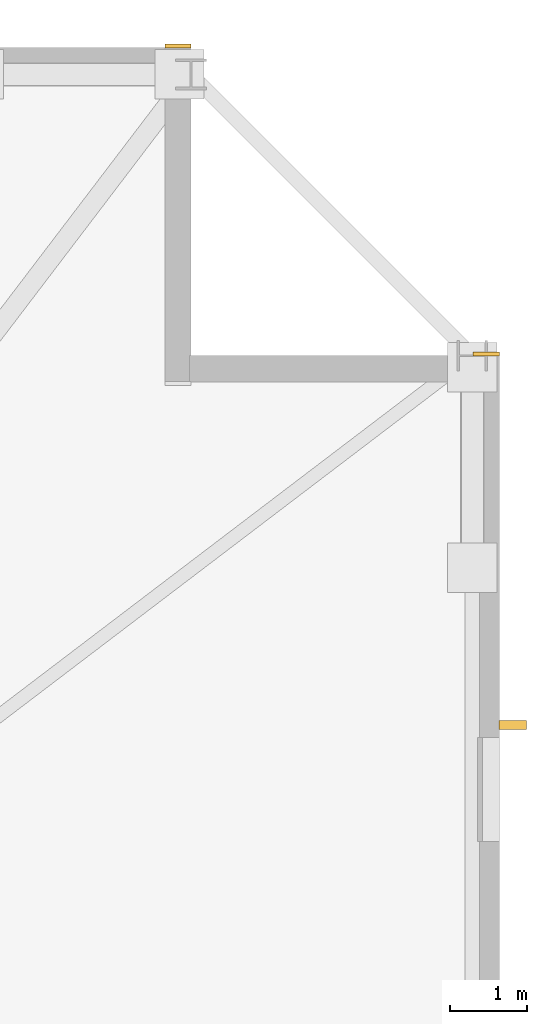
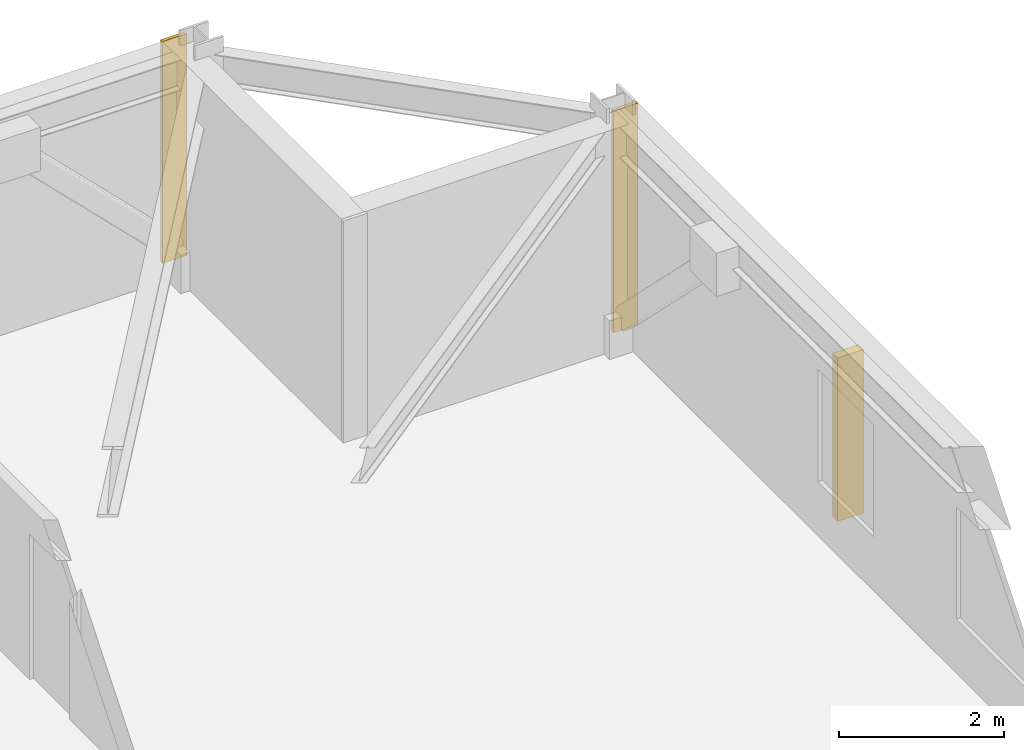
# One storey, part 11 of 11: 2 coverings, 1 shading device.
"""IFC4 building model written with IfcOpenShell, lengths in metres."""

from ifc_helpers import new_model, si_unit, direction, frame, frame_2d, origin, origin_2d, place, context, subcontext, project, spatial, rectangle, extrude, material, layer, layer_set, type_object, element, save


model = new_model("IFC4")

# Units and contexts
model_context = context("Model", 3, precision=1e-05, world=origin(), true_north=direction((0.0, 1.0)))
body_context = subcontext(model_context, "Body", "Model", "MODEL_VIEW")
ifc_project = project(units=[si_unit("LENGTHUNIT", "METRE"), si_unit("AREAUNIT", "SQUARE_METRE"), si_unit("VOLUMEUNIT", "CUBIC_METRE"), si_unit("PLANEANGLEUNIT", "RADIAN"), si_unit("MASSUNIT", "GRAM", prefix="KILO")], contexts=[model_context])

# Site, building, storey
site_placement = place(None, origin())
site = spatial("IfcSite", under=ifc_project, at=site_placement, CompositionType="ELEMENT")
building_placement = place(site_placement, origin())
building = spatial("IfcBuilding", under=site, at=building_placement, Name="Cairnveth Concourse Tower", CompositionType="ELEMENT")
storey_placement = place(building_placement, frame((0.0, 0.0, 148.0)))
storey = spatial("IfcBuildingStorey", under=building, at=storey_placement, Name="L40", CompositionType="ELEMENT", Elevation=148.0)

# Coverings
ifc_material_1 = material(Name="Dressed Melbourne Bluestone Cladding", Category="masonry")
ifc_layer = layer(ifc_material_1, 0.050048828125)
ifc_layer_set = layer_set([ifc_layer], Name="Dressed Melbourne Bluestone Cladding")
covering_type = type_object("IfcCoveringType", Name="DRESSED BLUESTONE PLINTH CLADDING 50", PredefinedType="CLADDING", material=ifc_layer_set)
for number, where, z_axis, x_axis, name in (
    (1, (71.659912109375, 63.02001953125, 0.0), (0.0, 0.0, 1.0), (1.0, 0.0, 0.0), "Melbourne Bluestone Corner Quoin L40-586"),
    (2, (75.659912109375, 59.02001953125, 0.0), (0.0, 0.0, 1.0), (1.0, 0.0, 0.0), "Melbourne Bluestone Corner Quoin L40-588"),
):
    element("IfcCovering", number, at=place(storey_placement, frame(where, z_axis=z_axis, x_axis=x_axis)), inside=storey, type_object=covering_type, Name=name, PredefinedType="CLADDING", context=body_context, shape_type="SweptSolid", body=[
        extrude(rectangle(XDim=0.340087890625, YDim=0.050048828125, at=frame_2d((0.169921875, 0.0))), origin(), (0.0, 0.0, 1.0), 3.280029296875),
    ])

# Shading device
ifc_material_2 = material(Name="Architectural Bronze Anodised Aluminium 6063-T6", Category="aluminium")
shading_device_type = type_object("IfcShadingDeviceType", Name="GOTHIC BRONZE VERTICAL LANCET FIN", PredefinedType="USERDEFINED", material=ifc_material_2)
shading_device_placement = place(storey_placement, frame((76.175048828125, 54.208251953125, 0.030029296875), z_axis=(0.0, 0.0, 1.0), x_axis=(0.0, 1.0, 0.0)))
element("IfcShadingDevice", 3, at=shading_device_placement, inside=storey, type_object=shading_device_type, Name="Gothic Bronze Vertical Fin L40-9-1", ObjectType="VERTICAL FIN", PredefinedType="USERDEFINED", context=body_context, shape_type="SweptSolid", body=[
    extrude(rectangle(XDim=0.1201171875, YDim=0.360107421875, at=origin_2d()), origin(), (0.0, 0.0, 1.0), 2.419921875),
])

save(model, "model.ifc")
